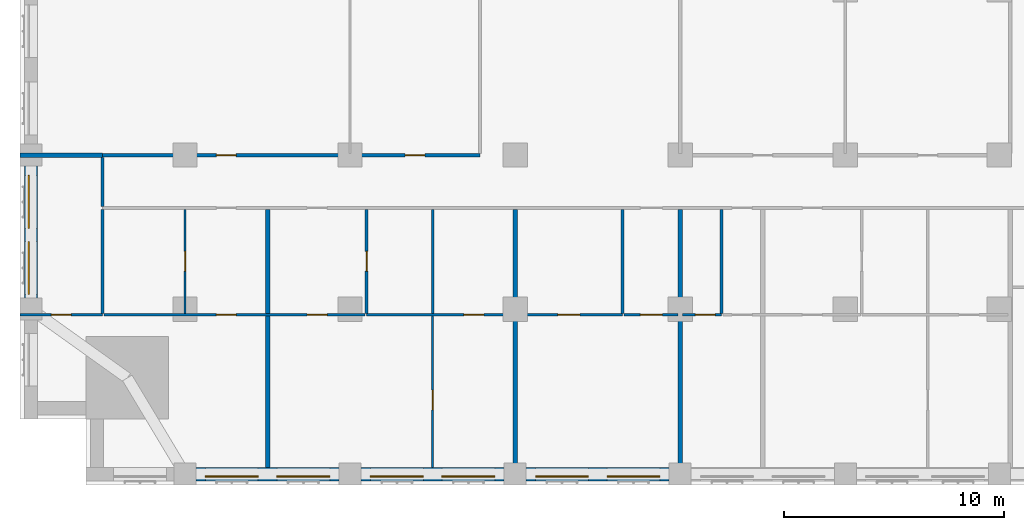
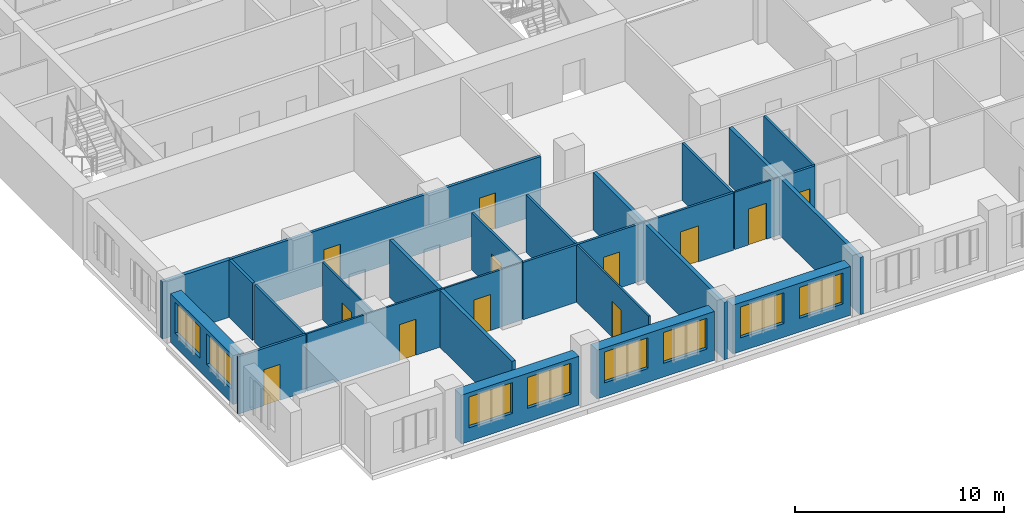
# One storey, part 4 of 14: 22 walls, 12 doors, 8 windows, 20 openings.
"""IFC4 building model written with IfcOpenShell, lengths in metres."""

import ifcopenshell
import ifcopenshell.guid

model = None  # the IFC model being written
_history = None  # IfcOwnerHistory: only IFC2X3 demands one
_inside = {}  # id of a spatial element -> (the spatial element, [elements in it])
_under = {}  # id of a project, library or spatial element -> (it, [spatial elements below it])
_declared = {}  # id of a project -> (the project, [libraries it declares])
_typed = {}  # id of a type object -> (the type object, [elements of that type])
_made_of = {}  # id of a material, layer set ... -> (it, [elements and type objects made of it])


def new_model(schema):
    """Start an empty IFC model of exactly this schema.

    Asked for "IFC4X3", IfcOpenShell would pick the latest addendum, in which some entities
    have other attributes; the version numbers below select the first issue.
    IFC2X3 requires an IfcOwnerHistory on every rooted entity: one is made here for all.
    """
    global model, _history
    if schema == "IFC4X3":
        model = ifcopenshell.file(schema_version=(4, 3, 0, 0))
    else:
        model = ifcopenshell.file(schema=schema)
    _inside.clear()
    _under.clear()
    _declared.clear()
    _typed.clear()
    _made_of.clear()
    _history = None
    if model.schema == "IFC2X3":
        org = make("IfcOrganization", Name="unknown")
        user = make(
            "IfcPersonAndOrganization",
            ThePerson=make("IfcPerson", FamilyName="unknown"),
            TheOrganization=org,
        )
        app = make(
            "IfcApplication",
            ApplicationDeveloper=org,
            Version="unknown",
            ApplicationFullName="unknown",
            ApplicationIdentifier="unknown",
        )
        _history = make(
            "IfcOwnerHistory",
            OwningUser=user,
            OwningApplication=app,
            ChangeAction="ADDED",
            CreationDate=0,
        )
    return model


def make(cls, **values):
    """One entity of the class cls with the attributes given. An attribute that is None is left unset."""
    return model.create_entity(
        cls, **{name: value for name, value in values.items() if value is not None}
    )


def rooted(cls, **values):
    """An entity with a GlobalId (a new one), such as an element, a storey or a relation."""
    return make(cls, GlobalId=ifcopenshell.guid.new(), OwnerHistory=_history, **values)


def si_unit(unit_type, name, prefix=None):
    """IfcSIUnit, for example si_unit("LENGTHUNIT", "METRE", prefix="MILLI")."""
    return make("IfcSIUnit", UnitType=unit_type, Prefix=prefix, Name=name)


def assignment(units):
    """IfcUnitAssignment: the units of a project."""
    return None if units is None else make("IfcUnitAssignment", Units=units)


def point(xyz):
    """IfcCartesianPoint."""
    return None if xyz is None else make("IfcCartesianPoint", Coordinates=xyz)


def direction(xyz):
    """IfcDirection."""
    return None if xyz is None else make("IfcDirection", DirectionRatios=xyz)


def frame(location, z_axis=None, x_axis=None):
    """IfcAxis2Placement3D, a coordinate frame: its origin and axes. An axis left out is left unset."""
    return make(
        "IfcAxis2Placement3D",
        Location=point(location),
        Axis=direction(z_axis),
        RefDirection=direction(x_axis),
    )


def frame_2d(location, x_axis=None):
    """IfcAxis2Placement2D, a coordinate frame in the plane: its origin and x axis."""
    return make(
        "IfcAxis2Placement2D", Location=point(location), RefDirection=direction(x_axis)
    )


def origin():
    """The frame at (0, 0, 0) with its axes left unset."""
    return frame((0.0, 0.0, 0.0))


def place(relative_to, where):
    """IfcLocalPlacement: puts the frame where relative to a parent placement (None: the world)."""
    return make(
        "IfcLocalPlacement", PlacementRelTo=relative_to, RelativePlacement=where
    )


def context(
    kind, dimensions, precision=None, world=None, true_north=None, identifier=None
):
    """IfcGeometricRepresentationContext, for example the 3D "Model" context."""
    return make(
        "IfcGeometricRepresentationContext",
        ContextIdentifier=identifier,
        ContextType=kind,
        CoordinateSpaceDimension=dimensions,
        Precision=precision,
        WorldCoordinateSystem=world,
        TrueNorth=true_north,
    )


def subcontext(parent, identifier, kind, view, scale=None):
    """IfcGeometricRepresentationSubContext, for example "Body" below "Model"."""
    return make(
        "IfcGeometricRepresentationSubContext",
        ContextIdentifier=identifier,
        ContextType=kind,
        ParentContext=parent,
        TargetScale=scale,
        TargetView=view,
    )


def project(units=None, contexts=None):
    """IfcProject with its units and contexts."""
    return rooted(
        "IfcProject",
        Name="project",
        RepresentationContexts=contexts,
        UnitsInContext=assignment(units),
    )


def spatial(cls, under=None, at=None, **own):
    """A site, building, storey or space (cls), placed at a placement, below another one or the project."""
    s = rooted(cls, ObjectPlacement=at, **own)
    if under is not None:
        _under.setdefault(under.id(), (under, []))[1].append(s)
    return s


def profile(cls, at=None, kind="AREA", **sizes):
    """A parametric profile (cls). Its sizes go by their IFC names, for example OverallWidth=200.0."""
    return make(cls, ProfileType=kind, Position=at, **sizes)


def rectangle(**sizes):
    """IfcRectangleProfileDef."""
    return profile("IfcRectangleProfileDef", **sizes)


def extrude(swept, where, along, depth):
    """IfcExtrudedAreaSolid: the profile swept, set in the frame where, extruded along a direction by depth."""
    return make(
        "IfcExtrudedAreaSolid",
        SweptArea=swept,
        Position=where,
        ExtrudedDirection=direction(along),
        Depth=depth,
    )


def shape(context_of_items, identifier, shape_type, items):
    """IfcShapeRepresentation: the items that make up one representation, for example the "Body"."""
    return make(
        "IfcShapeRepresentation",
        ContextOfItems=context_of_items,
        RepresentationIdentifier=identifier,
        RepresentationType=shape_type,
        Items=items,
    )


def material(Name=None, Category=None):
    """IfcMaterial."""
    return make("IfcMaterial", Name=Name, Category=Category)


def layer(
    of_material, thickness, ventilated=None, Name=None, Category=None, Priority=None
):
    """IfcMaterialLayer: one layer of a wall or slab, of a material (None: an air gap)."""
    return make(
        "IfcMaterialLayer",
        Material=of_material,
        LayerThickness=thickness,
        IsVentilated=ventilated,
        Name=Name,
        Category=Category,
        Priority=Priority,
    )


def layer_set(layers, Name=None):
    """IfcMaterialLayerSet."""
    return make("IfcMaterialLayerSet", MaterialLayers=layers, LayerSetName=Name)


def made_of(thing, what):
    """Note that an element or type object is made of a material, layer set ...; save() writes the relation."""
    if what is not None:
        _made_of.setdefault(what.id(), (what, []))[1].append(thing)
    return thing


def type_object(cls, material=None, **own):
    """A type object (cls), such as IfcWallType, which elements share."""
    return made_of(rooted(cls, **own), material)


def element(
    cls,
    number,
    at=None,
    inside=None,
    cuts=None,
    type_object=None,
    material=None,
    context=None,
    identifier="Body",
    shape_type=None,
    held_by="IfcProductDefinitionShape",
    body=None,
    shapes=None,
    **own,
):
    """One element of the class cls, such as IfcWall. Its Tag is "e" and its number.

    at: its placement. inside: the storey or other place that contains it. cuts: it is an
    opening in that element (IfcRelVoidsElement). A single representation is given by context,
    identifier, shape_type and body (its items); several are given by shapes. held_by: the class
    of the entity that holds the representations. save() writes the other relations.
    """
    e = rooted(cls, Tag="e%d" % number, ObjectPlacement=at, **own)
    if body is not None:
        shapes = [shape(context, identifier, shape_type, body)]
    if shapes is not None:
        e.Representation = make(held_by, Representations=shapes)
    if inside is not None:
        _inside.setdefault(inside.id(), (inside, []))[1].append(e)
    if cuts is not None:
        rooted(
            "IfcRelVoidsElement", RelatingBuildingElement=cuts, RelatedOpeningElement=e
        )
    if type_object is not None:
        _typed.setdefault(type_object.id(), (type_object, []))[1].append(e)
    return made_of(e, material)


def fill(opening, filler):
    """IfcRelFillsElement: the door or window that sits in an opening."""
    return rooted(
        "IfcRelFillsElement",
        RelatingOpeningElement=opening,
        RelatedBuildingElement=filler,
    )


def aggregate(whole, parts):
    """IfcRelAggregates: a whole, such as a stair, and the parts it consists of."""
    return rooted("IfcRelAggregates", RelatingObject=whole, RelatedObjects=parts)


def save(model, path):
    """Write the relations noted so far, then the file.

    IfcRelAggregates (storeys below a building ...), IfcRelContainedInSpatialStructure (elements
    in a storey), IfcRelDefinesByType, IfcRelAssociatesMaterial and IfcRelDeclares: one each for
    every whole, place, type object, material and project.
    """
    for whole, parts in _under.values():
        aggregate(whole, parts)
    for where, things in _inside.values():
        rooted(
            "IfcRelContainedInSpatialStructure",
            RelatedElements=things,
            RelatingStructure=where,
        )
    for kind, things in _typed.values():
        rooted("IfcRelDefinesByType", RelatedObjects=things, RelatingType=kind)
    for what, things in _made_of.values():
        rooted("IfcRelAssociatesMaterial", RelatedObjects=things, RelatingMaterial=what)
    for by, libraries in _declared.values():
        rooted("IfcRelDeclares", RelatingContext=by, RelatedDefinitions=libraries)
    model.write(path)


model = new_model("IFC4")

# Units and contexts
model_context = context("Model", 3, precision=1e-05, world=origin(), true_north=direction((0.0, 1.0)))
body_context = subcontext(model_context, "Body", "Model", "MODEL_VIEW")
ifc_project = project(units=[si_unit("LENGTHUNIT", "METRE"), si_unit("AREAUNIT", "SQUARE_METRE"), si_unit("VOLUMEUNIT", "CUBIC_METRE"), si_unit("PLANEANGLEUNIT", "RADIAN"), si_unit("MASSUNIT", "GRAM", prefix="KILO")], contexts=[model_context])

# Site, building, storey
site_placement = place(None, origin())
site = spatial("IfcSite", under=ifc_project, at=site_placement, CompositionType="ELEMENT")
building_placement = place(site_placement, origin())
building = spatial("IfcBuilding", under=site, at=building_placement, Name="Tamorin Gate", CompositionType="ELEMENT")
storey_placement = place(building_placement, frame((0.0, 0.0, 107.89990234375)))
storey = spatial("IfcBuildingStorey", under=building, at=storey_placement, Name="L26", CompositionType="ELEMENT", Elevation=107.89990234375)

# Wall, openings, windows
ifc_material_1 = material(Name="Precast concrete C40/50", Category="concrete")
ifc_layer_1 = layer(ifc_material_1, 0.60009765625)
ifc_layer_set_1 = layer_set([ifc_layer_1], Name="Precast concrete C40/50")
wall_type_1 = type_object("IfcWallType", Name="Board-marked concrete facade panel 600", PredefinedType="SOLIDWALL", material=ifc_layer_set_1)
wall_1_placement = place(storey_placement, frame((38.0, 38.0, 0.0), z_axis=(0.0, 0.0, 1.0), x_axis=(1.0, 0.0, 0.0)))
wall_1 = element("IfcWall", 1, at=wall_1_placement, inside=storey, type_object=wall_type_1, Name="Facade panel", PredefinedType="SOLIDWALL", context=body_context, shape_type="SweptSolid", body=[
    extrude(rectangle(XDim=6.5, YDim=0.60009765625, at=frame_2d((3.25, 0.0))), origin(), (0.0, 0.0, 1.0), 2.85009765625),
])
opening_1_placement = place(wall_1_placement, frame((0.425048828125, 0.0, 0.800048828125)))
opening_1 = element("IfcOpeningElement", 2, at=opening_1_placement, cuts=wall_1, Name="Opening WN1", PredefinedType="OPENING", context=body_context, shape_type="SweptSolid", body=[
    extrude(rectangle(XDim=2.39990234375, YDim=1.800048828125, at=frame_2d((1.199951171875, 0.89990234375))), frame((0.0, 0.31005859375, 0.0), z_axis=(0.0, -1.0, 0.0), x_axis=(1.0, 0.0, 0.0)), (0.0, 0.0, 1.0), 0.6201171875),
])
opening_2_placement = place(wall_1_placement, frame((3.675048828125, 0.0, 0.800048828125)))
opening_2 = element("IfcOpeningElement", 3, at=opening_2_placement, cuts=wall_1, Name="Opening WN1", PredefinedType="OPENING", context=body_context, shape_type="SweptSolid", body=[
    extrude(rectangle(XDim=2.39990234375, YDim=1.800048828125, at=frame_2d((1.199951171875, 0.89990234375))), frame((0.0, 0.31005859375, 0.0), z_axis=(0.0, -1.0, 0.0), x_axis=(1.0, 0.0, 0.0)), (0.0, 0.0, 1.0), 0.6201171875),
])
ifc_material_2 = material(Name="Clear glass in aluminium frame", Category="aluminium")
window_type = type_object("IfcWindowType", Name="Deep-set window 2400x1800", PartitioningType="SINGLE_PANEL", PredefinedType="WINDOW", material=ifc_material_2)
window_1_placement = place(opening_1_placement, origin())
window_1 = element("IfcWindow", 4, at=window_1_placement, inside=storey, type_object=window_type, Name="Deep-set window", OverallHeight=1.800048828125, OverallWidth=2.39990234375, PartitioningType="SINGLE_PANEL", PredefinedType="WINDOW", context=body_context, shape_type="SweptSolid", body=[
    extrude(rectangle(XDim=2.39990234375, YDim=1.800048828125, at=frame_2d((1.199951171875, 0.89990234375))), frame((0.0, -0.070068359375, 0.0), z_axis=(0.0, -1.0, 0.0), x_axis=(1.0, 0.0, 0.0)), (0.0, 0.0, 1.0), 0.06005859375),
])
fill(opening_1, window_1)
window_2_placement = place(opening_2_placement, origin())
window_2 = element("IfcWindow", 5, at=window_2_placement, inside=storey, type_object=window_type, Name="Deep-set window", OverallHeight=1.800048828125, OverallWidth=2.39990234375, PartitioningType="SINGLE_PANEL", PredefinedType="WINDOW", context=body_context, shape_type="SweptSolid", body=[
    extrude(rectangle(XDim=2.39990234375, YDim=1.800048828125, at=frame_2d((1.199951171875, 0.89990234375))), frame((0.0, -0.070068359375, 0.0), z_axis=(0.0, -1.0, 0.0), x_axis=(1.0, 0.0, 0.0)), (0.0, 0.0, 1.0), 0.06005859375),
])
fill(opening_2, window_2)

wall_2_placement = place(storey_placement, frame((45.5, 38.0, 0.0), z_axis=(0.0, 0.0, 1.0), x_axis=(1.0, 0.0, 0.0)))
wall_2 = element("IfcWall", 6, at=wall_2_placement, inside=storey, type_object=wall_type_1, Name="Facade panel", PredefinedType="SOLIDWALL", context=body_context, shape_type="SweptSolid", body=[
    extrude(rectangle(XDim=6.5, YDim=0.60009765625, at=frame_2d((3.25, 0.0))), origin(), (0.0, 0.0, 1.0), 2.85009765625),
])
opening_3_placement = place(wall_2_placement, frame((0.425048828125, 0.0, 0.800048828125)))
opening_3 = element("IfcOpeningElement", 7, at=opening_3_placement, cuts=wall_2, Name="Opening WN1", PredefinedType="OPENING", context=body_context, shape_type="SweptSolid", body=[
    extrude(rectangle(XDim=2.39990234375, YDim=1.800048828125, at=frame_2d((1.199951171875, 0.89990234375))), frame((0.0, 0.31005859375, 0.0), z_axis=(0.0, -1.0, 0.0), x_axis=(1.0, 0.0, 0.0)), (0.0, 0.0, 1.0), 0.6201171875),
])
opening_4_placement = place(wall_2_placement, frame((3.675048828125, 0.0, 0.800048828125)))
opening_4 = element("IfcOpeningElement", 8, at=opening_4_placement, cuts=wall_2, Name="Opening WN1", PredefinedType="OPENING", context=body_context, shape_type="SweptSolid", body=[
    extrude(rectangle(XDim=2.39990234375, YDim=1.800048828125, at=frame_2d((1.199951171875, 0.89990234375))), frame((0.0, 0.31005859375, 0.0), z_axis=(0.0, -1.0, 0.0), x_axis=(1.0, 0.0, 0.0)), (0.0, 0.0, 1.0), 0.6201171875),
])
window_3_placement = place(opening_3_placement, origin())
window_3 = element("IfcWindow", 9, at=window_3_placement, inside=storey, type_object=window_type, Name="Deep-set window", OverallHeight=1.800048828125, OverallWidth=2.39990234375, PartitioningType="SINGLE_PANEL", PredefinedType="WINDOW", context=body_context, shape_type="SweptSolid", body=[
    extrude(rectangle(XDim=2.39990234375, YDim=1.800048828125, at=frame_2d((1.199951171875, 0.89990234375))), frame((0.0, -0.070068359375, 0.0), z_axis=(0.0, -1.0, 0.0), x_axis=(1.0, 0.0, 0.0)), (0.0, 0.0, 1.0), 0.06005859375),
])
fill(opening_3, window_3)
window_4_placement = place(opening_4_placement, origin())
window_4 = element("IfcWindow", 10, at=window_4_placement, inside=storey, type_object=window_type, Name="Deep-set window", OverallHeight=1.800048828125, OverallWidth=2.39990234375, PartitioningType="SINGLE_PANEL", PredefinedType="WINDOW", context=body_context, shape_type="SweptSolid", body=[
    extrude(rectangle(XDim=2.39990234375, YDim=1.800048828125, at=frame_2d((1.199951171875, 0.89990234375))), frame((0.0, -0.070068359375, 0.0), z_axis=(0.0, -1.0, 0.0), x_axis=(1.0, 0.0, 0.0)), (0.0, 0.0, 1.0), 0.06005859375),
])
fill(opening_4, window_4)

wall_3_placement = place(storey_placement, frame((53.0, 38.0, 0.0), z_axis=(0.0, 0.0, 1.0), x_axis=(1.0, 0.0, 0.0)))
wall_3 = element("IfcWall", 11, at=wall_3_placement, inside=storey, type_object=wall_type_1, Name="Facade panel", PredefinedType="SOLIDWALL", context=body_context, shape_type="SweptSolid", body=[
    extrude(rectangle(XDim=6.5, YDim=0.60009765625, at=frame_2d((3.25, 0.0))), origin(), (0.0, 0.0, 1.0), 2.85009765625),
])
opening_5_placement = place(wall_3_placement, frame((0.425048828125, 0.0, 0.800048828125)))
opening_5 = element("IfcOpeningElement", 12, at=opening_5_placement, cuts=wall_3, Name="Opening WN1", PredefinedType="OPENING", context=body_context, shape_type="SweptSolid", body=[
    extrude(rectangle(XDim=2.39990234375, YDim=1.800048828125, at=frame_2d((1.199951171875, 0.89990234375))), frame((0.0, 0.31005859375, 0.0), z_axis=(0.0, -1.0, 0.0), x_axis=(1.0, 0.0, 0.0)), (0.0, 0.0, 1.0), 0.6201171875),
])
opening_6_placement = place(wall_3_placement, frame((3.675048828125, 0.0, 0.800048828125)))
opening_6 = element("IfcOpeningElement", 13, at=opening_6_placement, cuts=wall_3, Name="Opening WN1", PredefinedType="OPENING", context=body_context, shape_type="SweptSolid", body=[
    extrude(rectangle(XDim=2.39990234375, YDim=1.800048828125, at=frame_2d((1.199951171875, 0.89990234375))), frame((0.0, 0.31005859375, 0.0), z_axis=(0.0, -1.0, 0.0), x_axis=(1.0, 0.0, 0.0)), (0.0, 0.0, 1.0), 0.6201171875),
])
window_5_placement = place(opening_5_placement, origin())
window_5 = element("IfcWindow", 14, at=window_5_placement, inside=storey, type_object=window_type, Name="Deep-set window", OverallHeight=1.800048828125, OverallWidth=2.39990234375, PartitioningType="SINGLE_PANEL", PredefinedType="WINDOW", context=body_context, shape_type="SweptSolid", body=[
    extrude(rectangle(XDim=2.39990234375, YDim=1.800048828125, at=frame_2d((1.199951171875, 0.89990234375))), frame((0.0, -0.070068359375, 0.0), z_axis=(0.0, -1.0, 0.0), x_axis=(1.0, 0.0, 0.0)), (0.0, 0.0, 1.0), 0.06005859375),
])
fill(opening_5, window_5)
window_6_placement = place(opening_6_placement, origin())
window_6 = element("IfcWindow", 15, at=window_6_placement, inside=storey, type_object=window_type, Name="Deep-set window", OverallHeight=1.800048828125, OverallWidth=2.39990234375, PartitioningType="SINGLE_PANEL", PredefinedType="WINDOW", context=body_context, shape_type="SweptSolid", body=[
    extrude(rectangle(XDim=2.39990234375, YDim=1.800048828125, at=frame_2d((1.199951171875, 0.89990234375))), frame((0.0, -0.070068359375, 0.0), z_axis=(0.0, -1.0, 0.0), x_axis=(1.0, 0.0, 0.0)), (0.0, 0.0, 1.0), 0.06005859375),
])
fill(opening_6, window_6)

wall_4_placement = place(storey_placement, frame((30.5, 52.0, 0.0), z_axis=(0.0, 0.0, 1.0), x_axis=(0.0, -1.0, 0.0)))
wall_4 = element("IfcWall", 16, at=wall_4_placement, inside=storey, type_object=wall_type_1, Name="Facade panel", PredefinedType="SOLIDWALL", context=body_context, shape_type="SweptSolid", body=[
    extrude(rectangle(XDim=6.0, YDim=0.60009765625, at=frame_2d((3.0, 0.0))), origin(), (0.0, 0.0, 1.0), 2.85009765625),
])
opening_7_placement = place(wall_4_placement, frame((3.425048828125, 0.0, 0.800048828125)))
opening_7 = element("IfcOpeningElement", 17, at=opening_7_placement, cuts=wall_4, Name="Opening WN1", PredefinedType="OPENING", context=body_context, shape_type="SweptSolid", body=[
    extrude(rectangle(XDim=2.39990234375, YDim=1.800048828125, at=frame_2d((1.199951171875, 0.89990234375))), frame((0.0, 0.31005859375, 0.0), z_axis=(0.0, -1.0, 0.0), x_axis=(1.0, 0.0, 0.0)), (0.0, 0.0, 1.0), 0.6201171875),
])
opening_8_placement = place(wall_4_placement, frame((0.425048828125, 0.0, 0.800048828125)))
opening_8 = element("IfcOpeningElement", 18, at=opening_8_placement, cuts=wall_4, Name="Opening WN1", PredefinedType="OPENING", context=body_context, shape_type="SweptSolid", body=[
    extrude(rectangle(XDim=2.39990234375, YDim=1.800048828125, at=frame_2d((1.199951171875, 0.89990234375))), frame((0.0, 0.31005859375, 0.0), z_axis=(0.0, -1.0, 0.0), x_axis=(1.0, 0.0, 0.0)), (0.0, 0.0, 1.0), 0.6201171875),
])
window_7_placement = place(opening_7_placement, origin())
window_7 = element("IfcWindow", 19, at=window_7_placement, inside=storey, type_object=window_type, Name="Deep-set window", OverallHeight=1.800048828125, OverallWidth=2.39990234375, PartitioningType="SINGLE_PANEL", PredefinedType="WINDOW", context=body_context, shape_type="SweptSolid", body=[
    extrude(rectangle(XDim=2.39990234375, YDim=1.800048828125, at=frame_2d((1.199951171875, 0.89990234375))), frame((0.0, -0.070068359375, 0.0), z_axis=(0.0, -1.0, 0.0), x_axis=(1.0, 0.0, 0.0)), (0.0, 0.0, 1.0), 0.06005859375),
])
fill(opening_7, window_7)
window_8_placement = place(opening_8_placement, origin())
window_8 = element("IfcWindow", 20, at=window_8_placement, inside=storey, type_object=window_type, Name="Deep-set window", OverallHeight=1.800048828125, OverallWidth=2.39990234375, PartitioningType="SINGLE_PANEL", PredefinedType="WINDOW", context=body_context, shape_type="SweptSolid", body=[
    extrude(rectangle(XDim=2.39990234375, YDim=1.800048828125, at=frame_2d((1.199951171875, 0.89990234375))), frame((0.0, -0.070068359375, 0.0), z_axis=(0.0, -1.0, 0.0), x_axis=(1.0, 0.0, 0.0)), (0.0, 0.0, 1.0), 0.06005859375),
])
fill(opening_8, window_8)

# Wall, openings, doors
ifc_material_3 = material(Name="Gypsum board partition")
ifc_layer_2 = layer(ifc_material_3, 0.14990234375)
ifc_layer_set_2 = layer_set([ifc_layer_2], Name="Corridor wall 150")
wall_type_2 = type_object("IfcWallType", Name="Corridor wall 150", PredefinedType="PARTITIONING", material=ifc_layer_set_2)
wall_5_placement = place(storey_placement, frame((33.75, 52.5, 0.0), z_axis=(0.0, 0.0, 1.0), x_axis=(1.0, 0.0, 0.0)))
wall_5 = element("IfcWall", 21, at=wall_5_placement, inside=storey, type_object=wall_type_2, Name="Corridor wall 150", PredefinedType="PARTITIONING", context=body_context, shape_type="SweptSolid", body=[
    extrude(rectangle(XDim=17.14990234375, YDim=0.14990234375, at=frame_2d((8.574951171875, 0.0))), origin(), (0.0, 0.0, 1.0), 3.35009765625),
])
opening_9_placement = place(wall_5_placement, frame((5.175048828125, 0.0, 0.0)))
opening_9 = element("IfcOpeningElement", 22, at=opening_9_placement, cuts=wall_5, Name="Opening DH5072", PredefinedType="OPENING", context=body_context, shape_type="SweptSolid", body=[
    extrude(rectangle(XDim=0.89990234375, YDim=2.10009765625, at=frame_2d((0.449951171875, 1.050048828125))), frame((0.0, 0.0849609375, 0.0), z_axis=(0.0, -1.0, 0.0), x_axis=(1.0, 0.0, 0.0)), (0.0, 0.0, 1.0), 0.169921875),
])
opening_10_placement = place(wall_5_placement, frame((13.75, 0.0, 0.0)))
opening_10 = element("IfcOpeningElement", 23, at=opening_10_placement, cuts=wall_5, Name="Opening DH5073", PredefinedType="OPENING", context=body_context, shape_type="SweptSolid", body=[
    extrude(rectangle(XDim=0.89990234375, YDim=2.10009765625, at=frame_2d((0.449951171875, 1.050048828125))), frame((0.0, 0.0849609375, 0.0), z_axis=(0.0, -1.0, 0.0), x_axis=(1.0, 0.0, 0.0)), (0.0, 0.0, 1.0), 0.169921875),
])
ifc_material_4 = material(Name="Timber door leaf", Category="wood")
door_type_1 = type_object("IfcDoorType", Name="Door 900 x 2100 FD30S", OperationType="NOTDEFINED", PredefinedType="DOOR", material=ifc_material_4)
door_1_placement = place(opening_9_placement, origin())
door_1 = element("IfcDoor", 24, at=door_1_placement, inside=storey, type_object=door_type_1, Name="Door DH5072", OperationType="SINGLE_SWING_LEFT", OverallHeight=2.10009765625, OverallWidth=0.89990234375, PredefinedType="DOOR", context=body_context, shape_type="SweptSolid", body=[
    extrude(rectangle(XDim=0.89990234375, YDim=2.10009765625, at=frame_2d((0.449951171875, 1.050048828125))), frame((0.0, 0.02490234375, 0.0), z_axis=(0.0, -1.0, 0.0), x_axis=(1.0, 0.0, 0.0)), (0.0, 0.0, 1.0), 0.050048828125),
])
fill(opening_9, door_1)
door_2_placement = place(opening_10_placement, origin())
door_2 = element("IfcDoor", 25, at=door_2_placement, inside=storey, type_object=door_type_1, Name="Door DH5073", OperationType="SINGLE_SWING_LEFT", OverallHeight=2.10009765625, OverallWidth=0.89990234375, PredefinedType="DOOR", context=body_context, shape_type="SweptSolid", body=[
    extrude(rectangle(XDim=0.89990234375, YDim=2.10009765625, at=frame_2d((0.449951171875, 1.050048828125))), frame((0.0, 0.02490234375, 0.0), z_axis=(0.0, -1.0, 0.0), x_axis=(1.0, 0.0, 0.0)), (0.0, 0.0, 1.0), 0.050048828125),
])
fill(opening_10, door_2)

# Walls
wall_6_placement = place(storey_placement, frame((33.75, 50.175048828125, 0.0), z_axis=(0.0, 0.0, 1.0), x_axis=(0.0, 1.0, 0.0)))
element("IfcWall", 26, at=wall_6_placement, inside=storey, type_object=wall_type_2, Name="Corridor wall 150", PredefinedType="PARTITIONING", context=body_context, shape_type="SweptSolid", body=[
    extrude(rectangle(XDim=2.224853515625, YDim=0.14990234375, at=frame_2d((1.1123046875, 0.0))), origin(), (0.0, 0.0, 1.0), 3.35009765625),
])
ifc_layer_3 = layer(ifc_material_3, 0.199951171875)
ifc_layer_set_3 = layer_set([ifc_layer_3], Name="Demising wall 200")
wall_type_3 = type_object("IfcWallType", Name="Demising wall 200", PredefinedType="PARTITIONING", material=ifc_layer_set_3)
wall_7_placement = place(storey_placement, frame((30.0, 52.5, 0.0), z_axis=(0.0, 0.0, 1.0), x_axis=(1.0, 0.0, 0.0)))
element("IfcWall", 27, at=wall_7_placement, inside=storey, type_object=wall_type_3, Name="Demising wall 200", PredefinedType="PARTITIONING", context=body_context, shape_type="SweptSolid", body=[
    extrude(rectangle(XDim=3.75, YDim=0.199951171875, at=frame_2d((1.875, 0.0))), origin(), (0.0, 0.0, 1.0), 3.35009765625),
])
wall_8_placement = place(storey_placement, frame((41.25, 38.31005859375, 0.0), z_axis=(0.0, 0.0, 1.0), x_axis=(0.0, 1.0, 0.0)))
element("IfcWall", 28, at=wall_8_placement, inside=storey, type_object=wall_type_3, Name="Demising wall 200", PredefinedType="PARTITIONING", context=body_context, shape_type="SweptSolid", body=[
    extrude(rectangle(XDim=11.71484375, YDim=0.199951171875, at=frame_2d((5.857421875, 0.0))), origin(), (0.0, 0.0, 1.0), 3.35009765625),
])
for number, where, z_axis, x_axis, name in (
    (29, (52.5, 37.5, 0.0), (0.0, 0.0, 1.0), (0.0, 1.0, 0.0), "Demising wall 200"),
    (30, (60.0, 37.5, 0.0), (0.0, 0.0, 1.0), (0.0, 1.0, 0.0), "Demising wall 200"),
):
    element("IfcWall", number, at=place(storey_placement, frame(where, z_axis=z_axis, x_axis=x_axis)), inside=storey, type_object=wall_type_3, Name=name, PredefinedType="PARTITIONING", context=body_context, shape_type="SweptSolid", body=[
        extrude(rectangle(XDim=12.52490234375, YDim=0.199951171875, at=frame_2d((6.262451171875, 0.0))), origin(), (0.0, 0.0, 1.0), 3.35009765625),
    ])

# Wall, openings, doors
ifc_layer_4 = layer(ifc_material_3, 0.10009765625)
ifc_layer_set_4 = layer_set([ifc_layer_4], Name="Room partition 100")
wall_type_4 = type_object("IfcWallType", Name="Room partition 100", PredefinedType="PARTITIONING", material=ifc_layer_set_4)
wall_9_placement = place(storey_placement, frame((33.8125, 45.25, 0.0), z_axis=(0.0, 0.0, 1.0), x_axis=(1.0, 0.0, 0.0)))
wall_9 = element("IfcWall", 31, at=wall_9_placement, inside=storey, type_object=wall_type_4, Name="Room partition 100", PredefinedType="PARTITIONING", context=body_context, shape_type="SweptSolid", body=[
    extrude(rectangle(XDim=11.875, YDim=0.10009765625, at=frame_2d((5.9375, 0.0))), origin(), (0.0, 0.0, 1.0), 3.35009765625),
])
opening_11_placement = place(wall_9_placement, frame((5.112548828125, 0.0, 0.0)))
opening_11 = element("IfcOpeningElement", 32, at=opening_11_placement, cuts=wall_9, Name="Opening DH5004", PredefinedType="OPENING", context=body_context, shape_type="SweptSolid", body=[
    extrude(rectangle(XDim=0.89990234375, YDim=2.10009765625, at=frame_2d((0.449951171875, 1.050048828125))), frame((0.0, 0.06005859375, 0.0), z_axis=(0.0, -1.0, 0.0), x_axis=(1.0, 0.0, 0.0)), (0.0, 0.0, 1.0), 0.1201171875),
])
opening_12_placement = place(wall_9_placement, frame((9.237548828125, 0.0, 0.0)))
opening_12 = element("IfcOpeningElement", 33, at=opening_12_placement, cuts=wall_9, Name="Opening DH5006", PredefinedType="OPENING", context=body_context, shape_type="SweptSolid", body=[
    extrude(rectangle(XDim=0.89990234375, YDim=2.10009765625, at=frame_2d((0.449951171875, 1.050048828125))), frame((0.0, 0.06005859375, 0.0), z_axis=(0.0, -1.0, 0.0), x_axis=(1.0, 0.0, 0.0)), (0.0, 0.0, 1.0), 0.1201171875),
])
door_type_2 = type_object("IfcDoorType", Name="Door 900 x 2100", OperationType="NOTDEFINED", PredefinedType="DOOR", material=ifc_material_4)
door_3_placement = place(opening_11_placement, origin())
door_3 = element("IfcDoor", 34, at=door_3_placement, inside=storey, type_object=door_type_2, Name="Door DH5004", OperationType="SINGLE_SWING_LEFT", OverallHeight=2.10009765625, OverallWidth=0.89990234375, PredefinedType="DOOR", context=body_context, shape_type="SweptSolid", body=[
    extrude(rectangle(XDim=0.89990234375, YDim=2.10009765625, at=frame_2d((0.449951171875, 1.050048828125))), frame((0.0, 0.02490234375, 0.0), z_axis=(0.0, -1.0, 0.0), x_axis=(1.0, 0.0, 0.0)), (0.0, 0.0, 1.0), 0.050048828125),
])
fill(opening_11, door_3)
door_4_placement = place(opening_12_placement, origin())
door_4 = element("IfcDoor", 35, at=door_4_placement, inside=storey, type_object=door_type_2, Name="Door DH5006", OperationType="SINGLE_SWING_LEFT", OverallHeight=2.10009765625, OverallWidth=0.89990234375, PredefinedType="DOOR", context=body_context, shape_type="SweptSolid", body=[
    extrude(rectangle(XDim=0.89990234375, YDim=2.10009765625, at=frame_2d((0.449951171875, 1.050048828125))), frame((0.0, 0.02490234375, 0.0), z_axis=(0.0, -1.0, 0.0), x_axis=(1.0, 0.0, 0.0)), (0.0, 0.0, 1.0), 0.050048828125),
])
fill(opening_12, door_4)

# Wall, opening, door
wall_10_placement = place(storey_placement, frame((57.4375, 45.25, 0.0), z_axis=(0.0, 0.0, 1.0), x_axis=(1.0, 0.0, 0.0)))
wall_10 = element("IfcWall", 36, at=wall_10_placement, inside=storey, type_object=wall_type_4, Name="Room partition 100", PredefinedType="PARTITIONING", context=body_context, shape_type="SweptSolid", body=[
    extrude(rectangle(XDim=2.46240234375, YDim=0.10009765625, at=frame_2d((1.231201171875, 0.0))), origin(), (0.0, 0.0, 1.0), 3.35009765625),
])
opening_13_placement = place(wall_10_placement, frame((0.75, 0.0, 0.0)))
opening_13 = element("IfcOpeningElement", 37, at=opening_13_placement, cuts=wall_10, Name="Opening DH5012", PredefinedType="OPENING", context=body_context, shape_type="SweptSolid", body=[
    extrude(rectangle(XDim=1.0, YDim=2.10009765625, at=frame_2d((0.5, 1.050048828125))), frame((0.0, 0.06005859375, 0.0), z_axis=(0.0, -1.0, 0.0), x_axis=(1.0, 0.0, 0.0)), (0.0, 0.0, 1.0), 0.1201171875),
])
door_type_3 = type_object("IfcDoorType", Name="Door 1000 x 2100", OperationType="NOTDEFINED", PredefinedType="DOOR", material=ifc_material_4)
door_5_placement = place(opening_13_placement, origin())
door_5 = element("IfcDoor", 38, at=door_5_placement, inside=storey, type_object=door_type_3, Name="Door DH5012", OperationType="SINGLE_SWING_LEFT", OverallHeight=2.10009765625, OverallWidth=1.0, PredefinedType="DOOR", context=body_context, shape_type="SweptSolid", body=[
    extrude(rectangle(XDim=1.0, YDim=2.10009765625, at=frame_2d((0.5, 1.050048828125))), frame((0.0, 0.02490234375, 0.0), z_axis=(0.0, -1.0, 0.0), x_axis=(1.0, 0.0, 0.0)), (0.0, 0.0, 1.0), 0.050048828125),
])
fill(opening_13, door_5)

wall_11_placement = place(storey_placement, frame((37.5, 45.300048828125, 0.0), z_axis=(0.0, 0.0, 1.0), x_axis=(0.0, 1.0, 0.0)))
wall_11 = element("IfcWall", 39, at=wall_11_placement, inside=storey, type_object=wall_type_4, Name="Room partition 100", PredefinedType="PARTITIONING", context=body_context, shape_type="SweptSolid", body=[
    extrude(rectangle(XDim=4.724853515625, YDim=0.10009765625, at=frame_2d((2.3623046875, 0.0))), origin(), (0.0, 0.0, 1.0), 3.35009765625),
])
opening_14_placement = place(wall_11_placement, frame((1.925048828125, 0.0, 0.0)))
opening_14 = element("IfcOpeningElement", 40, at=opening_14_placement, cuts=wall_11, Name="Opening DH5002", PredefinedType="OPENING", context=body_context, shape_type="SweptSolid", body=[
    extrude(rectangle(XDim=0.89990234375, YDim=2.10009765625, at=frame_2d((0.449951171875, 1.050048828125))), frame((0.0, 0.06005859375, 0.0), z_axis=(0.0, -1.0, 0.0), x_axis=(1.0, 0.0, 0.0)), (0.0, 0.0, 1.0), 0.1201171875),
])
door_6_placement = place(opening_14_placement, origin())
door_6 = element("IfcDoor", 41, at=door_6_placement, inside=storey, type_object=door_type_2, Name="Door DH5002", OperationType="SINGLE_SWING_RIGHT", OverallHeight=2.10009765625, OverallWidth=0.89990234375, PredefinedType="DOOR", context=body_context, shape_type="SweptSolid", body=[
    extrude(rectangle(XDim=0.89990234375, YDim=2.10009765625, at=frame_2d((0.449951171875, 1.050048828125))), frame((0.0, 0.02490234375, 0.0), z_axis=(0.0, -1.0, 0.0), x_axis=(1.0, 0.0, 0.0)), (0.0, 0.0, 1.0), 0.050048828125),
])
fill(opening_14, door_6)

wall_12_placement = place(storey_placement, frame((48.75, 38.31005859375, 0.0), z_axis=(0.0, 0.0, 1.0), x_axis=(0.0, 1.0, 0.0)))
wall_12 = element("IfcWall", 42, at=wall_12_placement, inside=storey, type_object=wall_type_4, Name="Room partition 100", PredefinedType="PARTITIONING", context=body_context, shape_type="SweptSolid", body=[
    extrude(rectangle(XDim=6.87744140625, YDim=0.10009765625, at=frame_2d((3.438720703125, 0.0))), origin(), (0.0, 0.0, 1.0), 3.35009765625),
])
opening_15_placement = place(wall_12_placement, frame((2.614990234375, 0.0, 0.0)))
opening_15 = element("IfcOpeningElement", 43, at=opening_15_placement, cuts=wall_12, Name="Opening DH5009", PredefinedType="OPENING", context=body_context, shape_type="SweptSolid", body=[
    extrude(rectangle(XDim=0.89990234375, YDim=2.10009765625, at=frame_2d((0.449951171875, 1.050048828125))), frame((0.0, 0.06005859375, 0.0), z_axis=(0.0, -1.0, 0.0), x_axis=(1.0, 0.0, 0.0)), (0.0, 0.0, 1.0), 0.1201171875),
])
door_7_placement = place(opening_15_placement, origin())
door_7 = element("IfcDoor", 44, at=door_7_placement, inside=storey, type_object=door_type_2, Name="Door DH5009", OperationType="SINGLE_SWING_LEFT", OverallHeight=2.10009765625, OverallWidth=0.89990234375, PredefinedType="DOOR", context=body_context, shape_type="SweptSolid", body=[
    extrude(rectangle(XDim=0.89990234375, YDim=2.10009765625, at=frame_2d((0.449951171875, 1.050048828125))), frame((0.0, 0.02490234375, 0.0), z_axis=(0.0, -1.0, 0.0), x_axis=(1.0, 0.0, 0.0)), (0.0, 0.0, 1.0), 0.050048828125),
])
fill(opening_15, door_7)

ifc_layer_5 = layer(ifc_material_3, 0.125)
ifc_layer_set_5 = layer_set([ifc_layer_5], Name="Wet wall 125")
wall_type_5 = type_object("IfcWallType", Name="Wet wall 125", PredefinedType="PARTITIONING", material=ifc_layer_set_5)
wall_13_placement = place(storey_placement, frame((30.0, 45.25, 0.0), z_axis=(0.0, 0.0, 1.0), x_axis=(1.0, 0.0, 0.0)))
wall_13 = element("IfcWall", 45, at=wall_13_placement, inside=storey, type_object=wall_type_5, Name="Wet wall 125", PredefinedType="PARTITIONING", context=body_context, shape_type="SweptSolid", body=[
    extrude(rectangle(XDim=3.75, YDim=0.125, at=frame_2d((1.875, 0.0))), origin(), (0.0, 0.0, 1.0), 3.35009765625),
])
opening_16_placement = place(wall_13_placement, frame((1.425048828125, 0.0, 0.0)))
opening_16 = element("IfcOpeningElement", 46, at=opening_16_placement, cuts=wall_13, Name="Opening DH5001", PredefinedType="OPENING", context=body_context, shape_type="SweptSolid", body=[
    extrude(rectangle(XDim=0.89990234375, YDim=2.10009765625, at=frame_2d((0.449951171875, 1.050048828125))), frame((0.0, 0.072509765625, 0.0), z_axis=(0.0, -1.0, 0.0), x_axis=(1.0, 0.0, 0.0)), (0.0, 0.0, 1.0), 0.14501953125),
])
door_8_placement = place(opening_16_placement, origin())
door_8 = element("IfcDoor", 47, at=door_8_placement, inside=storey, type_object=door_type_2, Name="Door DH5001", OperationType="SINGLE_SWING_LEFT", OverallHeight=2.10009765625, OverallWidth=0.89990234375, PredefinedType="DOOR", context=body_context, shape_type="SweptSolid", body=[
    extrude(rectangle(XDim=0.89990234375, YDim=2.10009765625, at=frame_2d((0.449951171875, 1.050048828125))), frame((0.0, 0.02490234375, 0.0), z_axis=(0.0, -1.0, 0.0), x_axis=(1.0, 0.0, 0.0)), (0.0, 0.0, 1.0), 0.050048828125),
])
fill(opening_16, door_8)

# Wall, openings, doors
wall_14_placement = place(storey_placement, frame((45.75, 45.25, 0.0), z_axis=(0.0, 0.0, 1.0), x_axis=(1.0, 0.0, 0.0)))
wall_14 = element("IfcWall", 48, at=wall_14_placement, inside=storey, type_object=wall_type_5, Name="Wet wall 125", PredefinedType="PARTITIONING", context=body_context, shape_type="SweptSolid", body=[
    extrude(rectangle(XDim=11.625, YDim=0.125, at=frame_2d((5.8125, 0.0))), origin(), (0.0, 0.0, 1.0), 3.35009765625),
])
opening_17_placement = place(wall_14_placement, frame((4.425048828125, 0.0, 0.0)))
opening_17 = element("IfcOpeningElement", 49, at=opening_17_placement, cuts=wall_14, Name="Opening DH5008", PredefinedType="OPENING", context=body_context, shape_type="SweptSolid", body=[
    extrude(rectangle(XDim=0.89990234375, YDim=2.10009765625, at=frame_2d((0.449951171875, 1.050048828125))), frame((0.0, 0.072509765625, 0.0), z_axis=(0.0, -1.0, 0.0), x_axis=(1.0, 0.0, 0.0)), (0.0, 0.0, 1.0), 0.14501953125),
])
opening_18_placement = place(wall_14_placement, frame((8.6875, 0.0, 0.0)))
opening_18 = element("IfcOpeningElement", 50, at=opening_18_placement, cuts=wall_14, Name="Opening DH5010", PredefinedType="OPENING", context=body_context, shape_type="SweptSolid", body=[
    extrude(rectangle(XDim=1.0, YDim=2.10009765625, at=frame_2d((0.5, 1.050048828125))), frame((0.0, 0.072509765625, 0.0), z_axis=(0.0, -1.0, 0.0), x_axis=(1.0, 0.0, 0.0)), (0.0, 0.0, 1.0), 0.14501953125),
])
door_9_placement = place(opening_18_placement, origin())
door_9 = element("IfcDoor", 51, at=door_9_placement, inside=storey, type_object=door_type_3, Name="Door DH5010", OperationType="SINGLE_SWING_LEFT", OverallHeight=2.10009765625, OverallWidth=1.0, PredefinedType="DOOR", context=body_context, shape_type="SweptSolid", body=[
    extrude(rectangle(XDim=1.0, YDim=2.10009765625, at=frame_2d((0.5, 1.050048828125))), frame((0.0, 0.02490234375, 0.0), z_axis=(0.0, -1.0, 0.0), x_axis=(1.0, 0.0, 0.0)), (0.0, 0.0, 1.0), 0.050048828125),
])
fill(opening_18, door_9)
door_10_placement = place(opening_17_placement, origin())
door_10 = element("IfcDoor", 52, at=door_10_placement, inside=storey, type_object=door_type_2, Name="Door DH5008", OperationType="SINGLE_SWING_LEFT", OverallHeight=2.10009765625, OverallWidth=0.89990234375, PredefinedType="DOOR", context=body_context, shape_type="SweptSolid", body=[
    extrude(rectangle(XDim=0.89990234375, YDim=2.10009765625, at=frame_2d((0.449951171875, 1.050048828125))), frame((0.0, 0.02490234375, 0.0), z_axis=(0.0, -1.0, 0.0), x_axis=(1.0, 0.0, 0.0)), (0.0, 0.0, 1.0), 0.050048828125),
])
fill(opening_17, door_10)

# Wall, opening, door
wall_15_placement = place(storey_placement, frame((60.10009765625, 45.25, 0.0), z_axis=(0.0, 0.0, 1.0), x_axis=(1.0, 0.0, 0.0)))
wall_15 = element("IfcWall", 53, at=wall_15_placement, inside=storey, type_object=wall_type_5, Name="Wet wall 125", PredefinedType="PARTITIONING", context=body_context, shape_type="SweptSolid", body=[
    extrude(rectangle(XDim=1.77490234375, YDim=0.125, at=frame_2d((0.887451171875, 0.0))), origin(), (0.0, 0.0, 1.0), 3.35009765625),
])
opening_19_placement = place(wall_15_placement, frame((0.58740234375, 0.0, 0.0)))
opening_19 = element("IfcOpeningElement", 54, at=opening_19_placement, cuts=wall_15, Name="Opening DH5013", PredefinedType="OPENING", context=body_context, shape_type="SweptSolid", body=[
    extrude(rectangle(XDim=0.89990234375, YDim=2.10009765625, at=frame_2d((0.449951171875, 1.050048828125))), frame((0.0, 0.072509765625, 0.0), z_axis=(0.0, -1.0, 0.0), x_axis=(1.0, 0.0, 0.0)), (0.0, 0.0, 1.0), 0.14501953125),
])
door_11_placement = place(opening_19_placement, origin())
door_11 = element("IfcDoor", 55, at=door_11_placement, inside=storey, type_object=door_type_2, Name="Door DH5013", OperationType="SINGLE_SWING_RIGHT", OverallHeight=2.10009765625, OverallWidth=0.89990234375, PredefinedType="DOOR", context=body_context, shape_type="SweptSolid", body=[
    extrude(rectangle(XDim=0.89990234375, YDim=2.10009765625, at=frame_2d((0.449951171875, 1.050048828125))), frame((0.0, 0.02490234375, 0.0), z_axis=(0.0, -1.0, 0.0), x_axis=(1.0, 0.0, 0.0)), (0.0, 0.0, 1.0), 0.050048828125),
])
fill(opening_19, door_11)

# Wall
wall_16_placement = place(storey_placement, frame((33.75, 45.3125, 0.0), z_axis=(0.0, 0.0, 1.0), x_axis=(0.0, 1.0, 0.0)))
element("IfcWall", 56, at=wall_16_placement, inside=storey, type_object=wall_type_5, Name="Wet wall 125", PredefinedType="PARTITIONING", context=body_context, shape_type="SweptSolid", body=[
    extrude(rectangle(XDim=4.71240234375, YDim=0.125, at=frame_2d((2.356201171875, 0.0))), origin(), (0.0, 0.0, 1.0), 3.35009765625),
])

# Wall, opening, door
wall_17_placement = place(storey_placement, frame((45.75, 45.3125, 0.0), z_axis=(0.0, 0.0, 1.0), x_axis=(0.0, 1.0, 0.0)))
wall_17 = element("IfcWall", 57, at=wall_17_placement, inside=storey, type_object=wall_type_5, Name="Wet wall 125", PredefinedType="PARTITIONING", context=body_context, shape_type="SweptSolid", body=[
    extrude(rectangle(XDim=4.71240234375, YDim=0.125, at=frame_2d((2.356201171875, 0.0))), origin(), (0.0, 0.0, 1.0), 3.35009765625),
])
opening_20_placement = place(wall_17_placement, frame((1.91259765625, 0.0, 0.0)))
opening_20 = element("IfcOpeningElement", 58, at=opening_20_placement, cuts=wall_17, Name="Opening DH5007", PredefinedType="OPENING", context=body_context, shape_type="SweptSolid", body=[
    extrude(rectangle(XDim=0.89990234375, YDim=2.10009765625, at=frame_2d((0.449951171875, 1.050048828125))), frame((0.0, 0.072509765625, 0.0), z_axis=(0.0, -1.0, 0.0), x_axis=(1.0, 0.0, 0.0)), (0.0, 0.0, 1.0), 0.14501953125),
])
door_12_placement = place(opening_20_placement, origin())
door_12 = element("IfcDoor", 59, at=door_12_placement, inside=storey, type_object=door_type_2, Name="Door DH5007", OperationType="SINGLE_SWING_LEFT", OverallHeight=2.10009765625, OverallWidth=0.89990234375, PredefinedType="DOOR", context=body_context, shape_type="SweptSolid", body=[
    extrude(rectangle(XDim=0.89990234375, YDim=2.10009765625, at=frame_2d((0.449951171875, 1.050048828125))), frame((0.0, 0.02490234375, 0.0), z_axis=(0.0, -1.0, 0.0), x_axis=(1.0, 0.0, 0.0)), (0.0, 0.0, 1.0), 0.050048828125),
])
fill(opening_20, door_12)

# Walls
for number, where, z_axis, x_axis, name in (
    (60, (48.75, 45.3125, 0.0), (0.0, 0.0, 1.0), (0.0, 1.0, 0.0), "Wet wall 125"),
    (61, (57.375, 45.3125, 0.0), (0.0, 0.0, 1.0), (0.0, 1.0, 0.0), "Wet wall 125"),
    (62, (61.875, 45.3125, 0.0), (0.0, 0.0, 1.0), (0.0, 1.0, 0.0), "Wet wall 125"),
):
    element("IfcWall", number, at=place(storey_placement, frame(where, z_axis=z_axis, x_axis=x_axis)), inside=storey, type_object=wall_type_5, Name=name, PredefinedType="PARTITIONING", context=body_context, shape_type="SweptSolid", body=[
        extrude(rectangle(XDim=4.71240234375, YDim=0.125, at=frame_2d((2.356201171875, 0.0))), origin(), (0.0, 0.0, 1.0), 3.35009765625),
    ])

save(model, "model.ifc")
